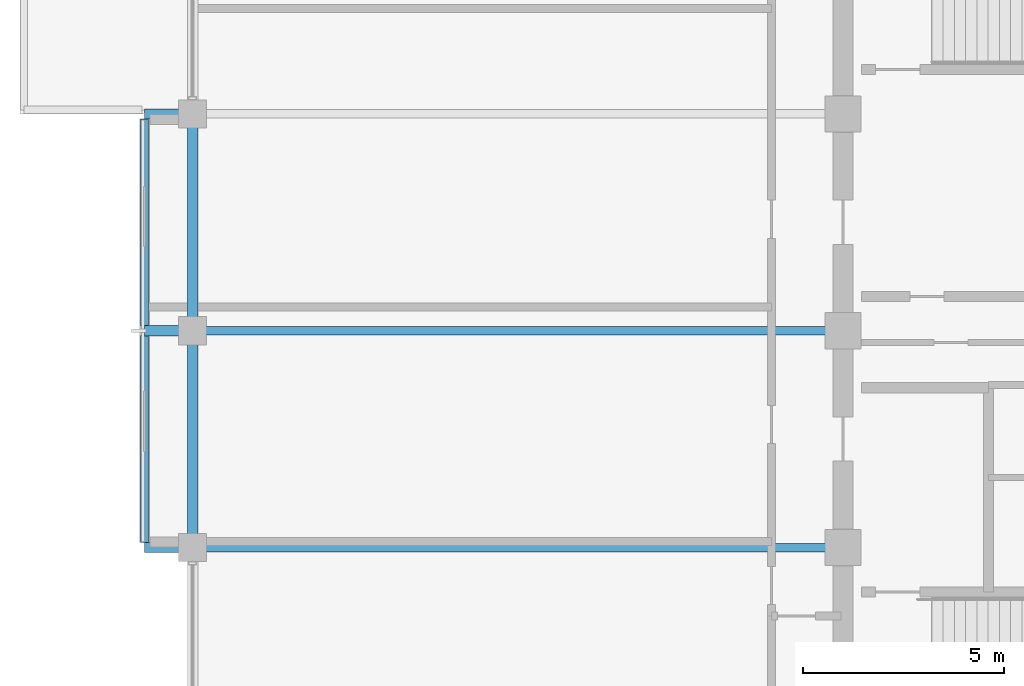
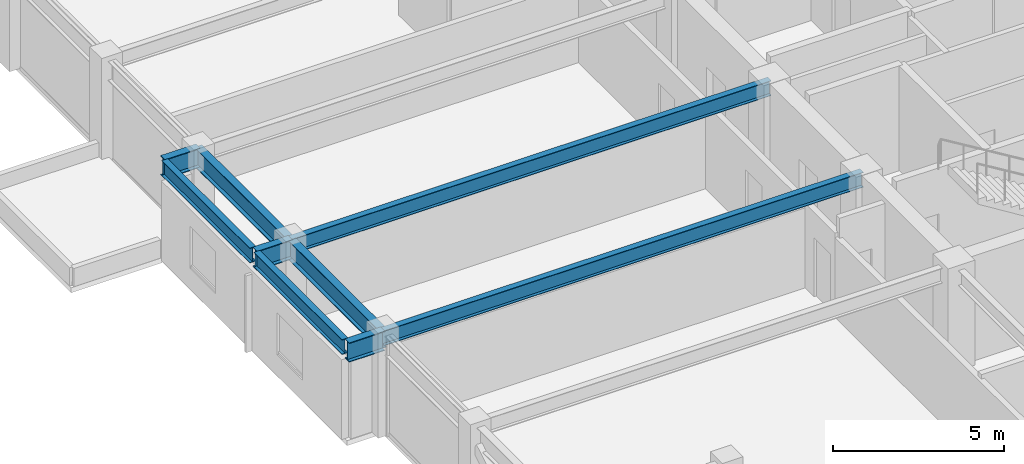
# One storey, part 6 of 31: 9 beams.
"""IFC4 building model written with IfcOpenShell, lengths in metres."""

from ifc_helpers import new_model, si_unit, direction, frame, origin, origin_2d, place, context, subcontext, project, spatial, i_section, extrude, material, material_profile, profile_set, type_object, element, save


model = new_model("IFC4")

# Units and contexts
model_context = context("Model", 3, precision=1e-05, world=origin(), true_north=direction((0.0, 1.0)))
body_context = subcontext(model_context, "Body", "Model", "MODEL_VIEW")
ifc_project = project(units=[si_unit("LENGTHUNIT", "METRE"), si_unit("AREAUNIT", "SQUARE_METRE"), si_unit("VOLUMEUNIT", "CUBIC_METRE"), si_unit("PLANEANGLEUNIT", "RADIAN"), si_unit("MASSUNIT", "GRAM", prefix="KILO")], contexts=[model_context])

# Site, building, storey
site_placement = place(None, origin())
site = spatial("IfcSite", under=ifc_project, at=site_placement, CompositionType="ELEMENT")
building_placement = place(site_placement, origin())
building = spatial("IfcBuilding", under=site, at=building_placement, Name="Surkhivell Harbour Commons", CompositionType="ELEMENT")
storey_placement = place(building_placement, frame((0.0, 0.0, 270.0)))
storey = spatial("IfcBuildingStorey", under=building, at=storey_placement, Name="L70", CompositionType="ELEMENT", Elevation=270.0)

# Beams
ifc_material_1 = material(Name="Steel S460", Category="steel")
ifc_material_profile_1 = material_profile(ifc_material_1, i_section(OverallWidth=0.256103515625, OverallDepth=0.693115234375, WebThickness=0.014404296875, FlangeThickness=0.023681640625, at=origin_2d()), Name="UB686x254x170")
ifc_profile_set_1 = profile_set([ifc_material_profile_1], Name="Steel S460")
beam_type_1 = type_object("IfcBeamType", Name="BM-CNT-686", PredefinedType="BEAM", material=ifc_profile_set_1)
for number, where, z_axis, x_axis, name in (
    (1, (-27.0, -5.39990234375, 3.223388671875), (-1.0, 0.0, 0.0), (0.0, -1.0, 0.0), "L70 Box Cantilever Outrigger (-27.0,-5.4)"),
    (2, (-27.0, 0.0, 3.223388671875), (-1.0, 0.0, 0.0), (0.0, -1.0, 0.0), "L70 Box Cantilever Outrigger (-27.0,0.0)"),
    (3, (-27.0, 5.39990234375, 3.223388671875), (-1.0, 0.0, 0.0), (0.0, -1.0, 0.0), "L70 Box Cantilever Outrigger (-27.0,5.4)"),
):
    element("IfcBeam", number, at=place(storey_placement, frame(where, z_axis=z_axis, x_axis=x_axis)), inside=storey, type_object=beam_type_1, Name=name, PredefinedType="BEAM", context=body_context, shape_type="SweptSolid", body=[
        extrude(i_section(OverallWidth=0.256103515625, OverallDepth=0.693115234375, WebThickness=0.014404296875, FlangeThickness=0.023681640625, at=origin_2d()), origin(), (0.0, 0.0, 1.0), 1.199951171875),
    ])
ifc_material_2 = material(Name="Steel S355", Category="steel")
ifc_material_profile_2 = material_profile(ifc_material_2, i_section(OverallWidth=0.2099609375, OverallDepth=0.537109375, WebThickness=0.0107421875, FlangeThickness=0.017333984375, at=origin_2d()), Name="UB533x210x101")
ifc_profile_set_2 = profile_set([ifc_material_profile_2], Name="Steel S355")
beam_type_2 = type_object("IfcBeamType", Name="BM-GRD-533B", PredefinedType="BEAM", material=ifc_profile_set_2)
for number, where, z_axis, x_axis, name in (
    (4, (-27.0, -5.39990234375, 3.301513671875), (1.0, 0.0, 0.0), (0.0, 1.0, 0.0), "L70 Floor Girder (-27.0,-5.4)"),
    (5, (-27.0, 0.0, 3.301513671875), (1.0, 0.0, 0.0), (0.0, 1.0, 0.0), "L70 Floor Girder (-27.0,0.0)"),
):
    element("IfcBeam", number, at=place(storey_placement, frame(where, z_axis=z_axis, x_axis=x_axis)), inside=storey, type_object=beam_type_2, Name=name, PredefinedType="BEAM", context=body_context, shape_type="SweptSolid", body=[
        extrude(i_section(OverallWidth=0.2099609375, OverallDepth=0.537109375, WebThickness=0.0107421875, FlangeThickness=0.017333984375, at=origin_2d()), origin(), (0.0, 0.0, 1.0), 16.199951171875),
    ])
for number, where, z_axis, x_axis, name in (
    (6, (-28.199951171875, -5.278076171875, 3.301513671875), (0.0, 1.0, 0.0), (-1.0, 0.0, 0.0), "L70 Box Rim Spandrel (-28.2,-5.4)"),
    (7, (-28.199951171875, 0.1220703125, 3.301513671875), (0.0, 1.0, 0.0), (-1.0, 0.0, 0.0), "L70 Box Rim Spandrel (-28.2,0.0)"),
):
    element("IfcBeam", number, at=place(storey_placement, frame(where, z_axis=z_axis, x_axis=x_axis)), inside=storey, type_object=beam_type_2, Name=name, PredefinedType="BEAM", context=body_context, shape_type="SweptSolid", body=[
        extrude(i_section(OverallWidth=0.2099609375, OverallDepth=0.537109375, WebThickness=0.0107421875, FlangeThickness=0.017333984375, at=origin_2d()), origin(), (0.0, 0.0, 1.0), 5.156005859375),
    ])
ifc_material_profile_3 = material_profile(ifc_material_2, i_section(OverallWidth=0.256103515625, OverallDepth=0.693115234375, WebThickness=0.014404296875, FlangeThickness=0.023681640625, at=origin_2d()), Name="UB686x254x170")
ifc_profile_set_3 = profile_set([ifc_material_profile_3], Name="Steel S355")
beam_type_3 = type_object("IfcBeamType", Name="BM-SPN-686", PredefinedType="SPANDREL", material=ifc_profile_set_3)
for number, where, z_axis, x_axis, name in (
    (8, (-27.0, -5.39990234375, 3.223388671875), (0.0, 1.0, 0.0), (-1.0, 0.0, 0.0), "L70 Tube Spandrel (-27.0,-5.4)"),
    (9, (-27.0, 0.0, 3.223388671875), (0.0, 1.0, 0.0), (-1.0, 0.0, 0.0), "L70 Tube Spandrel (-27.0,0.0)"),
):
    element("IfcBeam", number, at=place(storey_placement, frame(where, z_axis=z_axis, x_axis=x_axis)), inside=storey, type_object=beam_type_3, Name=name, PredefinedType="SPANDREL", context=body_context, shape_type="SweptSolid", body=[
        extrude(i_section(OverallWidth=0.256103515625, OverallDepth=0.693115234375, WebThickness=0.014404296875, FlangeThickness=0.023681640625, at=origin_2d()), origin(), (0.0, 0.0, 1.0), 5.39990234375),
    ])

save(model, "model.ifc")
